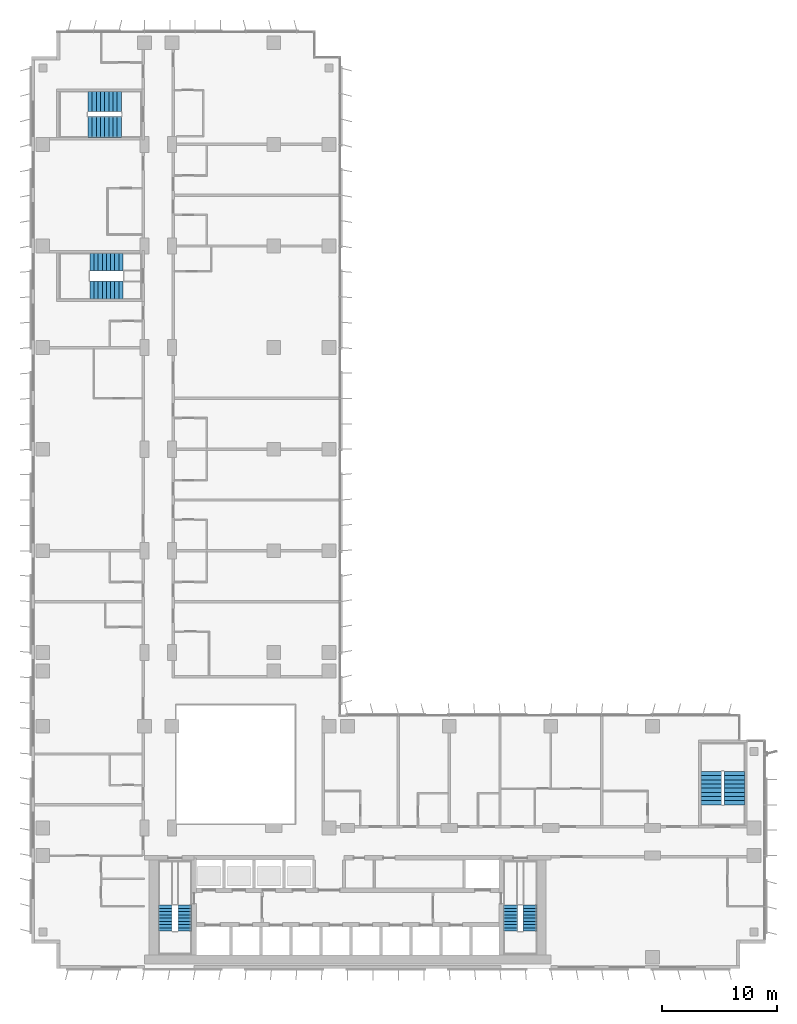
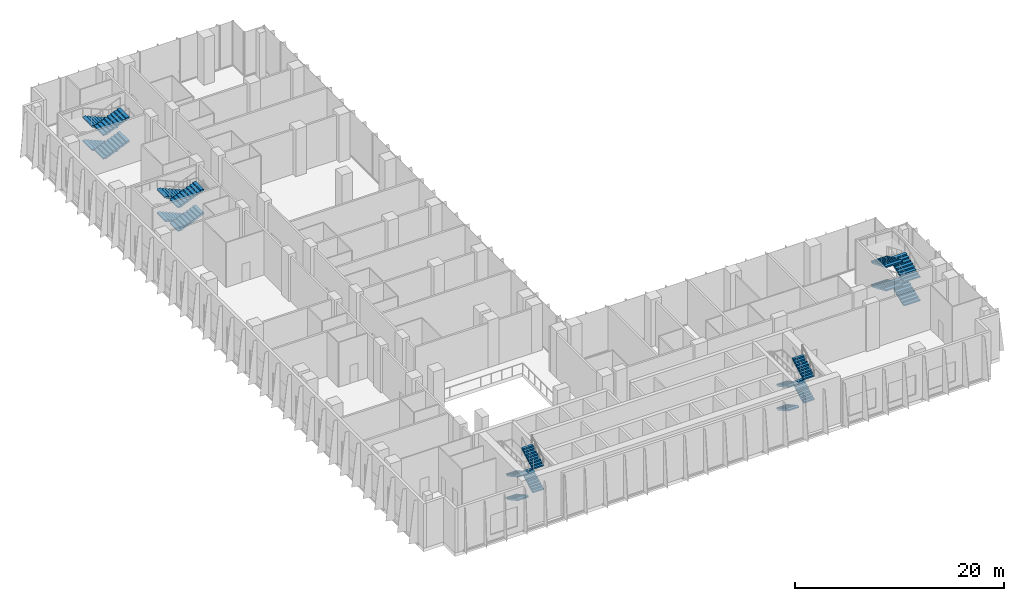
# One storey, part 19 of 26: 20 stair flights, 5 elements without a shape of their own.
"""IFC4 building model written with IfcOpenShell, lengths in metres."""

from ifc_helpers import new_model, si_unit, direction, frame, origin, place, context, subcontext, project, spatial, polyline, outline, extrude, material, type_object, element, aggregate, save


model = new_model("IFC4")

# Units and contexts
model_context = context("Model", 3, precision=1e-05, world=origin(), true_north=direction((0.0, 1.0)))
body_context = subcontext(model_context, "Body", "Model", "MODEL_VIEW")
ifc_project = project(units=[si_unit("LENGTHUNIT", "METRE"), si_unit("AREAUNIT", "SQUARE_METRE"), si_unit("VOLUMEUNIT", "CUBIC_METRE"), si_unit("PLANEANGLEUNIT", "RADIAN"), si_unit("MASSUNIT", "GRAM", prefix="KILO")], contexts=[model_context])

# Site, building, storey
site_placement = place(None, origin())
site = spatial("IfcSite", under=ifc_project, at=site_placement, CompositionType="ELEMENT")
building_placement = place(site_placement, origin())
building = spatial("IfcBuilding", under=site, at=building_placement, Name="Kemantara Hotel Tower", CompositionType="ELEMENT")
storey_placement = place(building_placement, frame((0.0, 0.0, 101.89990234375)))
storey = spatial("IfcBuildingStorey", under=building, at=storey_placement, Name="L24", CompositionType="ELEMENT", Elevation=101.89990234375)

# Stair, stair flights
ifc_material = material(Name="Concrete fc 40 MPa", Category="concrete")
stair_type_1 = type_object("IfcStairType", Name="Stair 1200 wide 36 risers of 153 x 280 mm", PredefinedType="HALF_TURN_STAIR", material=ifc_material)
stair_1_placement = place(storey_placement, origin())
stair_1 = element("IfcStair", 1, at=stair_1_placement, inside=storey, type_object=stair_type_1, Name="L24 Exit stair ST1", PredefinedType="HALF_TURN_STAIR")
stair_flight_type_1 = type_object("IfcStairFlightType", Name="Stair flight 1200 wide 153 x 280 mm", PredefinedType="STRAIGHT", material=ifc_material)
stair_flight_1_placement = place(storey_placement, frame((11.60009765625, 5.5, 0.0), z_axis=(0.0, 0.0, 1.0), x_axis=(0.0, -1.0, 0.0)))
stair_flight_1 = element("IfcStairFlight", 2, at=stair_flight_1_placement, type_object=stair_flight_type_1, Name="ST1 flight 1", NumberOfRisers=9, NumberOfTreads=8, PredefinedType="STRAIGHT", RiserHeight=0.152777778, TreadLength=0.28, context=body_context, shape_type="SweptSolid", body=[
    extrude(outline(polyline([(0.0, 0.0), (0.0, 0.15283203125), (0.280029296875, 0.15283203125), (0.280029296875, 0.3056640625), (0.56005859375, 0.3056640625), (0.56005859375, 0.458251953125), (0.840087890625, 0.458251953125), (0.840087890625, 0.611083984375), (1.1201171875, 0.611083984375), (1.1201171875, 0.763916015625), (1.39990234375, 0.763916015625), (1.39990234375, 0.916748046875), (1.679931640625, 0.916748046875), (1.679931640625, 1.0693359375), (1.9599609375, 1.0693359375), (1.9599609375, 1.22216796875), (2.239990234375, 1.22216796875), (2.239990234375, 1.375), (2.239990234375, 1.051513671875), (0.31298828125, 0.0), (0.0, 0.0)])), frame((0.0, 0.60009765625, 0.0), z_axis=(0.0, -1.0, 0.0), x_axis=(1.0, 0.0, 0.0)), (0.0, 0.0, 1.0), 1.199951171875),
])
stair_flight_2_placement = place(storey_placement, frame((13.300048828125, 3.260009765625, 1.375), z_axis=(0.0, 0.0, 1.0), x_axis=(0.0, 1.0, 0.0)))
stair_flight_2 = element("IfcStairFlight", 3, at=stair_flight_2_placement, type_object=stair_flight_type_1, Name="ST1 flight 2", NumberOfRisers=9, NumberOfTreads=8, PredefinedType="STRAIGHT", RiserHeight=0.152777778, TreadLength=0.28, context=body_context, shape_type="SweptSolid", body=[
    extrude(outline(polyline([(0.0, 0.0), (0.0, 0.15283203125), (0.280029296875, 0.15283203125), (0.280029296875, 0.3056640625), (0.56005859375, 0.3056640625), (0.56005859375, 0.458251953125), (0.840087890625, 0.458251953125), (0.840087890625, 0.611083984375), (1.1201171875, 0.611083984375), (1.1201171875, 0.763916015625), (1.39990234375, 0.763916015625), (1.39990234375, 0.916748046875), (1.679931640625, 0.916748046875), (1.679931640625, 1.0693359375), (1.9599609375, 1.0693359375), (1.9599609375, 1.22216796875), (2.239990234375, 1.22216796875), (2.239990234375, 1.375), (2.239990234375, 1.051513671875), (0.31298828125, 0.0), (0.0, 0.0)])), frame((0.0, 0.60009765625, 0.0), z_axis=(0.0, -1.0, 0.0), x_axis=(1.0, 0.0, 0.0)), (0.0, 0.0, 1.0), 1.199951171875),
])
stair_flight_3_placement = place(storey_placement, frame((11.60009765625, 5.5, 2.75), z_axis=(0.0, 0.0, 1.0), x_axis=(0.0, -1.0, 0.0)))
stair_flight_3 = element("IfcStairFlight", 4, at=stair_flight_3_placement, type_object=stair_flight_type_1, Name="ST1 flight 3", NumberOfRisers=9, NumberOfTreads=8, PredefinedType="STRAIGHT", RiserHeight=0.152777778, TreadLength=0.28, context=body_context, shape_type="SweptSolid", body=[
    extrude(outline(polyline([(0.0, 0.0), (0.0, 0.15283203125), (0.280029296875, 0.15283203125), (0.280029296875, 0.3056640625), (0.56005859375, 0.3056640625), (0.56005859375, 0.458251953125), (0.840087890625, 0.458251953125), (0.840087890625, 0.611083984375), (1.1201171875, 0.611083984375), (1.1201171875, 0.763916015625), (1.39990234375, 0.763916015625), (1.39990234375, 0.916748046875), (1.679931640625, 0.916748046875), (1.679931640625, 1.0693359375), (1.9599609375, 1.0693359375), (1.9599609375, 1.22216796875), (2.239990234375, 1.22216796875), (2.239990234375, 1.375), (2.239990234375, 1.051513671875), (0.31298828125, 0.0), (0.0, 0.0)])), frame((0.0, 0.60009765625, 0.0), z_axis=(0.0, -1.0, 0.0), x_axis=(1.0, 0.0, 0.0)), (0.0, 0.0, 1.0), 1.199951171875),
])
stair_flight_4_placement = place(storey_placement, frame((13.300048828125, 3.260009765625, 4.125), z_axis=(0.0, 0.0, 1.0), x_axis=(0.0, 1.0, 0.0)))
stair_flight_4 = element("IfcStairFlight", 5, at=stair_flight_4_placement, type_object=stair_flight_type_1, Name="ST1 flight 4", NumberOfRisers=9, NumberOfTreads=8, PredefinedType="STRAIGHT", RiserHeight=0.152777778, TreadLength=0.28, context=body_context, shape_type="SweptSolid", body=[
    extrude(outline(polyline([(0.0, 0.0), (0.0, 0.15283203125), (0.280029296875, 0.15283203125), (0.280029296875, 0.3056640625), (0.56005859375, 0.3056640625), (0.56005859375, 0.458251953125), (0.840087890625, 0.458251953125), (0.840087890625, 0.611083984375), (1.1201171875, 0.611083984375), (1.1201171875, 0.763916015625), (1.39990234375, 0.763916015625), (1.39990234375, 0.916748046875), (1.679931640625, 0.916748046875), (1.679931640625, 1.0693359375), (1.9599609375, 1.0693359375), (1.9599609375, 1.22216796875), (2.239990234375, 1.22216796875), (2.239990234375, 1.375), (2.239990234375, 1.051513671875), (0.31298828125, 0.0), (0.0, 0.0)])), frame((0.0, 0.60009765625, 0.0), z_axis=(0.0, -1.0, 0.0), x_axis=(1.0, 0.0, 0.0)), (0.0, 0.0, 1.0), 1.199951171875),
])
aggregate(stair_1, [stair_flight_1, stair_flight_2, stair_flight_3, stair_flight_4])

stair_2_placement = place(storey_placement, origin())
stair_2 = element("IfcStair", 6, at=stair_2_placement, inside=storey, type_object=stair_type_1, Name="L24 Exit stair ST2", PredefinedType="HALF_TURN_STAIR")
stair_flight_5_placement = place(storey_placement, frame((41.5, 5.5, 0.0), z_axis=(0.0, 0.0, 1.0), x_axis=(0.0, -1.0, 0.0)))
stair_flight_5 = element("IfcStairFlight", 7, at=stair_flight_5_placement, type_object=stair_flight_type_1, Name="ST2 flight 1", NumberOfRisers=9, NumberOfTreads=8, PredefinedType="STRAIGHT", RiserHeight=0.152777778, TreadLength=0.28, context=body_context, shape_type="SweptSolid", body=[
    extrude(outline(polyline([(0.0, 0.0), (0.0, 0.15283203125), (0.280029296875, 0.15283203125), (0.280029296875, 0.3056640625), (0.56005859375, 0.3056640625), (0.56005859375, 0.458251953125), (0.840087890625, 0.458251953125), (0.840087890625, 0.611083984375), (1.1201171875, 0.611083984375), (1.1201171875, 0.763916015625), (1.39990234375, 0.763916015625), (1.39990234375, 0.916748046875), (1.679931640625, 0.916748046875), (1.679931640625, 1.0693359375), (1.9599609375, 1.0693359375), (1.9599609375, 1.22216796875), (2.239990234375, 1.22216796875), (2.239990234375, 1.375), (2.239990234375, 1.051513671875), (0.31298828125, 0.0), (0.0, 0.0)])), frame((0.0, 0.60009765625, 0.0), z_axis=(0.0, -1.0, 0.0), x_axis=(1.0, 0.0, 0.0)), (0.0, 0.0, 1.0), 1.199951171875),
])
stair_flight_6_placement = place(storey_placement, frame((43.199951171875, 3.260009765625, 1.375), z_axis=(0.0, 0.0, 1.0), x_axis=(0.0, 1.0, 0.0)))
stair_flight_6 = element("IfcStairFlight", 8, at=stair_flight_6_placement, type_object=stair_flight_type_1, Name="ST2 flight 2", NumberOfRisers=9, NumberOfTreads=8, PredefinedType="STRAIGHT", RiserHeight=0.152777778, TreadLength=0.28, context=body_context, shape_type="SweptSolid", body=[
    extrude(outline(polyline([(0.0, 0.0), (0.0, 0.15283203125), (0.280029296875, 0.15283203125), (0.280029296875, 0.3056640625), (0.56005859375, 0.3056640625), (0.56005859375, 0.458251953125), (0.840087890625, 0.458251953125), (0.840087890625, 0.611083984375), (1.1201171875, 0.611083984375), (1.1201171875, 0.763916015625), (1.39990234375, 0.763916015625), (1.39990234375, 0.916748046875), (1.679931640625, 0.916748046875), (1.679931640625, 1.0693359375), (1.9599609375, 1.0693359375), (1.9599609375, 1.22216796875), (2.239990234375, 1.22216796875), (2.239990234375, 1.375), (2.239990234375, 1.051513671875), (0.31298828125, 0.0), (0.0, 0.0)])), frame((0.0, 0.60009765625, 0.0), z_axis=(0.0, -1.0, 0.0), x_axis=(1.0, 0.0, 0.0)), (0.0, 0.0, 1.0), 1.199951171875),
])
stair_flight_7_placement = place(storey_placement, frame((41.5, 5.5, 2.75), z_axis=(0.0, 0.0, 1.0), x_axis=(0.0, -1.0, 0.0)))
stair_flight_7 = element("IfcStairFlight", 9, at=stair_flight_7_placement, type_object=stair_flight_type_1, Name="ST2 flight 3", NumberOfRisers=9, NumberOfTreads=8, PredefinedType="STRAIGHT", RiserHeight=0.152777778, TreadLength=0.28, context=body_context, shape_type="SweptSolid", body=[
    extrude(outline(polyline([(0.0, 0.0), (0.0, 0.15283203125), (0.280029296875, 0.15283203125), (0.280029296875, 0.3056640625), (0.56005859375, 0.3056640625), (0.56005859375, 0.458251953125), (0.840087890625, 0.458251953125), (0.840087890625, 0.611083984375), (1.1201171875, 0.611083984375), (1.1201171875, 0.763916015625), (1.39990234375, 0.763916015625), (1.39990234375, 0.916748046875), (1.679931640625, 0.916748046875), (1.679931640625, 1.0693359375), (1.9599609375, 1.0693359375), (1.9599609375, 1.22216796875), (2.239990234375, 1.22216796875), (2.239990234375, 1.375), (2.239990234375, 1.051513671875), (0.31298828125, 0.0), (0.0, 0.0)])), frame((0.0, 0.60009765625, 0.0), z_axis=(0.0, -1.0, 0.0), x_axis=(1.0, 0.0, 0.0)), (0.0, 0.0, 1.0), 1.199951171875),
])
stair_flight_8_placement = place(storey_placement, frame((43.199951171875, 3.260009765625, 4.125), z_axis=(0.0, 0.0, 1.0), x_axis=(0.0, 1.0, 0.0)))
stair_flight_8 = element("IfcStairFlight", 10, at=stair_flight_8_placement, type_object=stair_flight_type_1, Name="ST2 flight 4", NumberOfRisers=9, NumberOfTreads=8, PredefinedType="STRAIGHT", RiserHeight=0.152777778, TreadLength=0.28, context=body_context, shape_type="SweptSolid", body=[
    extrude(outline(polyline([(0.0, 0.0), (0.0, 0.15283203125), (0.280029296875, 0.15283203125), (0.280029296875, 0.3056640625), (0.56005859375, 0.3056640625), (0.56005859375, 0.458251953125), (0.840087890625, 0.458251953125), (0.840087890625, 0.611083984375), (1.1201171875, 0.611083984375), (1.1201171875, 0.763916015625), (1.39990234375, 0.763916015625), (1.39990234375, 0.916748046875), (1.679931640625, 0.916748046875), (1.679931640625, 1.0693359375), (1.9599609375, 1.0693359375), (1.9599609375, 1.22216796875), (2.239990234375, 1.22216796875), (2.239990234375, 1.375), (2.239990234375, 1.051513671875), (0.31298828125, 0.0), (0.0, 0.0)])), frame((0.0, 0.60009765625, 0.0), z_axis=(0.0, -1.0, 0.0), x_axis=(1.0, 0.0, 0.0)), (0.0, 0.0, 1.0), 1.199951171875),
])
aggregate(stair_2, [stair_flight_5, stair_flight_6, stair_flight_7, stair_flight_8])

stair_type_2 = type_object("IfcStairType", Name="Stair 1550 wide 36 risers of 153 x 360 mm", PredefinedType="HALF_TURN_STAIR", material=ifc_material)
stair_3_placement = place(storey_placement, origin())
stair_3 = element("IfcStair", 11, at=stair_3_placement, inside=storey, type_object=stair_type_2, Name="L24 Exit stair ST4", PredefinedType="HALF_TURN_STAIR")
stair_flight_type_2 = type_object("IfcStairFlightType", Name="Stair flight 1550 wide 153 x 360 mm", PredefinedType="STRAIGHT", material=ifc_material)
stair_flight_9_placement = place(storey_placement, frame((7.949951171875, 61.22509765625, 0.0), z_axis=(0.0, 0.0, 1.0), x_axis=(-1.0, 0.0, 0.0)))
stair_flight_9 = element("IfcStairFlight", 12, at=stair_flight_9_placement, type_object=stair_flight_type_2, Name="ST4 flight 1", NumberOfRisers=9, NumberOfTreads=8, PredefinedType="STRAIGHT", RiserHeight=0.152777778, TreadLength=0.36, context=body_context, shape_type="SweptSolid", body=[
    extrude(outline(polyline([(0.0, 0.0), (0.0, 0.15283203125), (0.360107421875, 0.15283203125), (0.360107421875, 0.3056640625), (0.719970703125, 0.3056640625), (0.719970703125, 0.458251953125), (1.080078125, 0.458251953125), (1.080078125, 0.611083984375), (1.43994140625, 0.611083984375), (1.43994140625, 0.763916015625), (1.800048828125, 0.763916015625), (1.800048828125, 0.916748046875), (2.159912109375, 0.916748046875), (2.159912109375, 1.0693359375), (2.52001953125, 1.0693359375), (2.52001953125, 1.22216796875), (2.8798828125, 1.22216796875), (2.8798828125, 1.375), (2.8798828125, 1.059326171875), (0.3837890625, 0.0), (0.0, 0.0)])), frame((0.0, 0.77490234375, 0.0), z_axis=(0.0, -1.0, 0.0), x_axis=(1.0, 0.0, 0.0)), (0.0, 0.0, 1.0), 1.550048828125),
])
stair_flight_10_placement = place(storey_placement, frame((5.070068359375, 58.77490234375, 1.375), z_axis=(0.0, 0.0, 1.0), x_axis=(1.0, 0.0, 0.0)))
stair_flight_10 = element("IfcStairFlight", 13, at=stair_flight_10_placement, type_object=stair_flight_type_2, Name="ST4 flight 2", NumberOfRisers=9, NumberOfTreads=8, PredefinedType="STRAIGHT", RiserHeight=0.152777778, TreadLength=0.36, context=body_context, shape_type="SweptSolid", body=[
    extrude(outline(polyline([(0.0, 0.0), (0.0, 0.15283203125), (0.360107421875, 0.15283203125), (0.360107421875, 0.3056640625), (0.719970703125, 0.3056640625), (0.719970703125, 0.458251953125), (1.080078125, 0.458251953125), (1.080078125, 0.611083984375), (1.43994140625, 0.611083984375), (1.43994140625, 0.763916015625), (1.800048828125, 0.763916015625), (1.800048828125, 0.916748046875), (2.159912109375, 0.916748046875), (2.159912109375, 1.0693359375), (2.52001953125, 1.0693359375), (2.52001953125, 1.22216796875), (2.8798828125, 1.22216796875), (2.8798828125, 1.375), (2.8798828125, 1.059326171875), (0.3837890625, 0.0), (0.0, 0.0)])), frame((0.0, 0.77490234375, 0.0), z_axis=(0.0, -1.0, 0.0), x_axis=(1.0, 0.0, 0.0)), (0.0, 0.0, 1.0), 1.550048828125),
])
stair_flight_11_placement = place(storey_placement, frame((7.949951171875, 61.22509765625, 2.75), z_axis=(0.0, 0.0, 1.0), x_axis=(-1.0, 0.0, 0.0)))
stair_flight_11 = element("IfcStairFlight", 14, at=stair_flight_11_placement, type_object=stair_flight_type_2, Name="ST4 flight 3", NumberOfRisers=9, NumberOfTreads=8, PredefinedType="STRAIGHT", RiserHeight=0.152777778, TreadLength=0.36, context=body_context, shape_type="SweptSolid", body=[
    extrude(outline(polyline([(0.0, 0.0), (0.0, 0.15283203125), (0.360107421875, 0.15283203125), (0.360107421875, 0.3056640625), (0.719970703125, 0.3056640625), (0.719970703125, 0.458251953125), (1.080078125, 0.458251953125), (1.080078125, 0.611083984375), (1.43994140625, 0.611083984375), (1.43994140625, 0.763916015625), (1.800048828125, 0.763916015625), (1.800048828125, 0.916748046875), (2.159912109375, 0.916748046875), (2.159912109375, 1.0693359375), (2.52001953125, 1.0693359375), (2.52001953125, 1.22216796875), (2.8798828125, 1.22216796875), (2.8798828125, 1.375), (2.8798828125, 1.059326171875), (0.3837890625, 0.0), (0.0, 0.0)])), frame((0.0, 0.77490234375, 0.0), z_axis=(0.0, -1.0, 0.0), x_axis=(1.0, 0.0, 0.0)), (0.0, 0.0, 1.0), 1.550048828125),
])
stair_flight_12_placement = place(storey_placement, frame((5.070068359375, 58.77490234375, 4.125), z_axis=(0.0, 0.0, 1.0), x_axis=(1.0, 0.0, 0.0)))
stair_flight_12 = element("IfcStairFlight", 15, at=stair_flight_12_placement, type_object=stair_flight_type_2, Name="ST4 flight 4", NumberOfRisers=9, NumberOfTreads=8, PredefinedType="STRAIGHT", RiserHeight=0.152777778, TreadLength=0.36, context=body_context, shape_type="SweptSolid", body=[
    extrude(outline(polyline([(0.0, 0.0), (0.0, 0.15283203125), (0.360107421875, 0.15283203125), (0.360107421875, 0.3056640625), (0.719970703125, 0.3056640625), (0.719970703125, 0.458251953125), (1.080078125, 0.458251953125), (1.080078125, 0.611083984375), (1.43994140625, 0.611083984375), (1.43994140625, 0.763916015625), (1.800048828125, 0.763916015625), (1.800048828125, 0.916748046875), (2.159912109375, 0.916748046875), (2.159912109375, 1.0693359375), (2.52001953125, 1.0693359375), (2.52001953125, 1.22216796875), (2.8798828125, 1.22216796875), (2.8798828125, 1.375), (2.8798828125, 1.059326171875), (0.3837890625, 0.0), (0.0, 0.0)])), frame((0.0, 0.77490234375, 0.0), z_axis=(0.0, -1.0, 0.0), x_axis=(1.0, 0.0, 0.0)), (0.0, 0.0, 1.0), 1.550048828125),
])
aggregate(stair_3, [stair_flight_9, stair_flight_10, stair_flight_11, stair_flight_12])

stair_type_3 = type_object("IfcStairType", Name="Stair 1800 wide 36 risers of 153 x 360 mm", PredefinedType="HALF_TURN_STAIR", material=ifc_material)
stair_4_placement = place(storey_placement, origin())
stair_4 = element("IfcStair", 16, at=stair_4_placement, inside=storey, type_object=stair_type_3, Name="L24 Exit stair ST3", PredefinedType="HALF_TURN_STAIR")
stair_flight_type_3 = type_object("IfcStairFlightType", Name="Stair flight 1800 wide 153 x 360 mm", PredefinedType="STRAIGHT", material=ifc_material)
stair_flight_13_placement = place(storey_placement, frame((60.89990234375, 14.199951171875, 0.0), z_axis=(0.0, 0.0, 1.0), x_axis=(0.0, 1.0, 0.0)))
stair_flight_13 = element("IfcStairFlight", 17, at=stair_flight_13_placement, type_object=stair_flight_type_3, Name="ST3 flight 1", NumberOfRisers=9, NumberOfTreads=8, PredefinedType="STRAIGHT", RiserHeight=0.152777778, TreadLength=0.36, context=body_context, shape_type="SweptSolid", body=[
    extrude(outline(polyline([(0.0, 0.0), (0.0, 0.15283203125), (0.360107421875, 0.15283203125), (0.360107421875, 0.3056640625), (0.719970703125, 0.3056640625), (0.719970703125, 0.458251953125), (1.080078125, 0.458251953125), (1.080078125, 0.611083984375), (1.43994140625, 0.611083984375), (1.43994140625, 0.763916015625), (1.800048828125, 0.763916015625), (1.800048828125, 0.916748046875), (2.159912109375, 0.916748046875), (2.159912109375, 1.0693359375), (2.52001953125, 1.0693359375), (2.52001953125, 1.22216796875), (2.8798828125, 1.22216796875), (2.8798828125, 1.375), (2.8798828125, 1.059326171875), (0.3837890625, 0.0), (0.0, 0.0)])), frame((0.0, 0.89990234375, 0.0), z_axis=(0.0, -1.0, 0.0), x_axis=(1.0, 0.0, 0.0)), (0.0, 0.0, 1.0), 1.800048828125),
])
stair_flight_14_placement = place(storey_placement, frame((58.89990234375, 17.080078125, 1.375), z_axis=(0.0, 0.0, 1.0), x_axis=(0.0, -1.0, 0.0)))
stair_flight_14 = element("IfcStairFlight", 18, at=stair_flight_14_placement, type_object=stair_flight_type_3, Name="ST3 flight 2", NumberOfRisers=9, NumberOfTreads=8, PredefinedType="STRAIGHT", RiserHeight=0.152777778, TreadLength=0.36, context=body_context, shape_type="SweptSolid", body=[
    extrude(outline(polyline([(0.0, 0.0), (0.0, 0.15283203125), (0.360107421875, 0.15283203125), (0.360107421875, 0.3056640625), (0.719970703125, 0.3056640625), (0.719970703125, 0.458251953125), (1.080078125, 0.458251953125), (1.080078125, 0.611083984375), (1.43994140625, 0.611083984375), (1.43994140625, 0.763916015625), (1.800048828125, 0.763916015625), (1.800048828125, 0.916748046875), (2.159912109375, 0.916748046875), (2.159912109375, 1.0693359375), (2.52001953125, 1.0693359375), (2.52001953125, 1.22216796875), (2.8798828125, 1.22216796875), (2.8798828125, 1.375), (2.8798828125, 1.059326171875), (0.3837890625, 0.0), (0.0, 0.0)])), frame((0.0, 0.89990234375, 0.0), z_axis=(0.0, -1.0, 0.0), x_axis=(1.0, 0.0, 0.0)), (0.0, 0.0, 1.0), 1.800048828125),
])
stair_flight_15_placement = place(storey_placement, frame((60.89990234375, 14.199951171875, 2.75), z_axis=(0.0, 0.0, 1.0), x_axis=(0.0, 1.0, 0.0)))
stair_flight_15 = element("IfcStairFlight", 19, at=stair_flight_15_placement, type_object=stair_flight_type_3, Name="ST3 flight 3", NumberOfRisers=9, NumberOfTreads=8, PredefinedType="STRAIGHT", RiserHeight=0.152777778, TreadLength=0.36, context=body_context, shape_type="SweptSolid", body=[
    extrude(outline(polyline([(0.0, 0.0), (0.0, 0.15283203125), (0.360107421875, 0.15283203125), (0.360107421875, 0.3056640625), (0.719970703125, 0.3056640625), (0.719970703125, 0.458251953125), (1.080078125, 0.458251953125), (1.080078125, 0.611083984375), (1.43994140625, 0.611083984375), (1.43994140625, 0.763916015625), (1.800048828125, 0.763916015625), (1.800048828125, 0.916748046875), (2.159912109375, 0.916748046875), (2.159912109375, 1.0693359375), (2.52001953125, 1.0693359375), (2.52001953125, 1.22216796875), (2.8798828125, 1.22216796875), (2.8798828125, 1.375), (2.8798828125, 1.059326171875), (0.3837890625, 0.0), (0.0, 0.0)])), frame((0.0, 0.89990234375, 0.0), z_axis=(0.0, -1.0, 0.0), x_axis=(1.0, 0.0, 0.0)), (0.0, 0.0, 1.0), 1.800048828125),
])
stair_flight_16_placement = place(storey_placement, frame((58.89990234375, 17.080078125, 4.125), z_axis=(0.0, 0.0, 1.0), x_axis=(0.0, -1.0, 0.0)))
stair_flight_16 = element("IfcStairFlight", 20, at=stair_flight_16_placement, type_object=stair_flight_type_3, Name="ST3 flight 4", NumberOfRisers=9, NumberOfTreads=8, PredefinedType="STRAIGHT", RiserHeight=0.152777778, TreadLength=0.36, context=body_context, shape_type="SweptSolid", body=[
    extrude(outline(polyline([(0.0, 0.0), (0.0, 0.15283203125), (0.360107421875, 0.15283203125), (0.360107421875, 0.3056640625), (0.719970703125, 0.3056640625), (0.719970703125, 0.458251953125), (1.080078125, 0.458251953125), (1.080078125, 0.611083984375), (1.43994140625, 0.611083984375), (1.43994140625, 0.763916015625), (1.800048828125, 0.763916015625), (1.800048828125, 0.916748046875), (2.159912109375, 0.916748046875), (2.159912109375, 1.0693359375), (2.52001953125, 1.0693359375), (2.52001953125, 1.22216796875), (2.8798828125, 1.22216796875), (2.8798828125, 1.375), (2.8798828125, 1.059326171875), (0.3837890625, 0.0), (0.0, 0.0)])), frame((0.0, 0.89990234375, 0.0), z_axis=(0.0, -1.0, 0.0), x_axis=(1.0, 0.0, 0.0)), (0.0, 0.0, 1.0), 1.800048828125),
])
aggregate(stair_4, [stair_flight_13, stair_flight_14, stair_flight_15, stair_flight_16])

stair_5_placement = place(storey_placement, origin())
stair_5 = element("IfcStair", 21, at=stair_5_placement, inside=storey, type_object=stair_type_3, Name="L24 Exit stair ST6", PredefinedType="HALF_TURN_STAIR")
stair_flight_17_placement = place(storey_placement, frame((7.800048828125, 75.10009765625, 0.0), z_axis=(0.0, 0.0, 1.0), x_axis=(-1.0, 0.0, 0.0)))
stair_flight_17 = element("IfcStairFlight", 22, at=stair_flight_17_placement, type_object=stair_flight_type_3, Name="ST6 flight 1", NumberOfRisers=9, NumberOfTreads=8, PredefinedType="STRAIGHT", RiserHeight=0.152777778, TreadLength=0.36, context=body_context, shape_type="SweptSolid", body=[
    extrude(outline(polyline([(0.0, 0.0), (0.0, 0.15283203125), (0.360107421875, 0.15283203125), (0.360107421875, 0.3056640625), (0.719970703125, 0.3056640625), (0.719970703125, 0.458251953125), (1.080078125, 0.458251953125), (1.080078125, 0.611083984375), (1.43994140625, 0.611083984375), (1.43994140625, 0.763916015625), (1.800048828125, 0.763916015625), (1.800048828125, 0.916748046875), (2.159912109375, 0.916748046875), (2.159912109375, 1.0693359375), (2.52001953125, 1.0693359375), (2.52001953125, 1.22216796875), (2.8798828125, 1.22216796875), (2.8798828125, 1.375), (2.8798828125, 1.059326171875), (0.3837890625, 0.0), (0.0, 0.0)])), frame((0.0, 0.89990234375, 0.0), z_axis=(0.0, -1.0, 0.0), x_axis=(1.0, 0.0, 0.0)), (0.0, 0.0, 1.0), 1.800048828125),
])
stair_flight_18_placement = place(storey_placement, frame((4.919921875, 72.89990234375, 1.375), z_axis=(0.0, 0.0, 1.0), x_axis=(1.0, 0.0, 0.0)))
stair_flight_18 = element("IfcStairFlight", 23, at=stair_flight_18_placement, type_object=stair_flight_type_3, Name="ST6 flight 2", NumberOfRisers=9, NumberOfTreads=8, PredefinedType="STRAIGHT", RiserHeight=0.152777778, TreadLength=0.36, context=body_context, shape_type="SweptSolid", body=[
    extrude(outline(polyline([(0.0, 0.0), (0.0, 0.15283203125), (0.360107421875, 0.15283203125), (0.360107421875, 0.3056640625), (0.719970703125, 0.3056640625), (0.719970703125, 0.458251953125), (1.080078125, 0.458251953125), (1.080078125, 0.611083984375), (1.43994140625, 0.611083984375), (1.43994140625, 0.763916015625), (1.800048828125, 0.763916015625), (1.800048828125, 0.916748046875), (2.159912109375, 0.916748046875), (2.159912109375, 1.0693359375), (2.52001953125, 1.0693359375), (2.52001953125, 1.22216796875), (2.8798828125, 1.22216796875), (2.8798828125, 1.375), (2.8798828125, 1.059326171875), (0.3837890625, 0.0), (0.0, 0.0)])), frame((0.0, 0.89990234375, 0.0), z_axis=(0.0, -1.0, 0.0), x_axis=(1.0, 0.0, 0.0)), (0.0, 0.0, 1.0), 1.800048828125),
])
stair_flight_19_placement = place(storey_placement, frame((7.800048828125, 75.10009765625, 2.75), z_axis=(0.0, 0.0, 1.0), x_axis=(-1.0, 0.0, 0.0)))
stair_flight_19 = element("IfcStairFlight", 24, at=stair_flight_19_placement, type_object=stair_flight_type_3, Name="ST6 flight 3", NumberOfRisers=9, NumberOfTreads=8, PredefinedType="STRAIGHT", RiserHeight=0.152777778, TreadLength=0.36, context=body_context, shape_type="SweptSolid", body=[
    extrude(outline(polyline([(0.0, 0.0), (0.0, 0.15283203125), (0.360107421875, 0.15283203125), (0.360107421875, 0.3056640625), (0.719970703125, 0.3056640625), (0.719970703125, 0.458251953125), (1.080078125, 0.458251953125), (1.080078125, 0.611083984375), (1.43994140625, 0.611083984375), (1.43994140625, 0.763916015625), (1.800048828125, 0.763916015625), (1.800048828125, 0.916748046875), (2.159912109375, 0.916748046875), (2.159912109375, 1.0693359375), (2.52001953125, 1.0693359375), (2.52001953125, 1.22216796875), (2.8798828125, 1.22216796875), (2.8798828125, 1.375), (2.8798828125, 1.059326171875), (0.3837890625, 0.0), (0.0, 0.0)])), frame((0.0, 0.89990234375, 0.0), z_axis=(0.0, -1.0, 0.0), x_axis=(1.0, 0.0, 0.0)), (0.0, 0.0, 1.0), 1.800048828125),
])
stair_flight_20_placement = place(storey_placement, frame((4.919921875, 72.89990234375, 4.125), z_axis=(0.0, 0.0, 1.0), x_axis=(1.0, 0.0, 0.0)))
stair_flight_20 = element("IfcStairFlight", 25, at=stair_flight_20_placement, type_object=stair_flight_type_3, Name="ST6 flight 4", NumberOfRisers=9, NumberOfTreads=8, PredefinedType="STRAIGHT", RiserHeight=0.152777778, TreadLength=0.36, context=body_context, shape_type="SweptSolid", body=[
    extrude(outline(polyline([(0.0, 0.0), (0.0, 0.15283203125), (0.360107421875, 0.15283203125), (0.360107421875, 0.3056640625), (0.719970703125, 0.3056640625), (0.719970703125, 0.458251953125), (1.080078125, 0.458251953125), (1.080078125, 0.611083984375), (1.43994140625, 0.611083984375), (1.43994140625, 0.763916015625), (1.800048828125, 0.763916015625), (1.800048828125, 0.916748046875), (2.159912109375, 0.916748046875), (2.159912109375, 1.0693359375), (2.52001953125, 1.0693359375), (2.52001953125, 1.22216796875), (2.8798828125, 1.22216796875), (2.8798828125, 1.375), (2.8798828125, 1.059326171875), (0.3837890625, 0.0), (0.0, 0.0)])), frame((0.0, 0.89990234375, 0.0), z_axis=(0.0, -1.0, 0.0), x_axis=(1.0, 0.0, 0.0)), (0.0, 0.0, 1.0), 1.800048828125),
])
aggregate(stair_5, [stair_flight_17, stair_flight_18, stair_flight_19, stair_flight_20])

save(model, "model.ifc")
